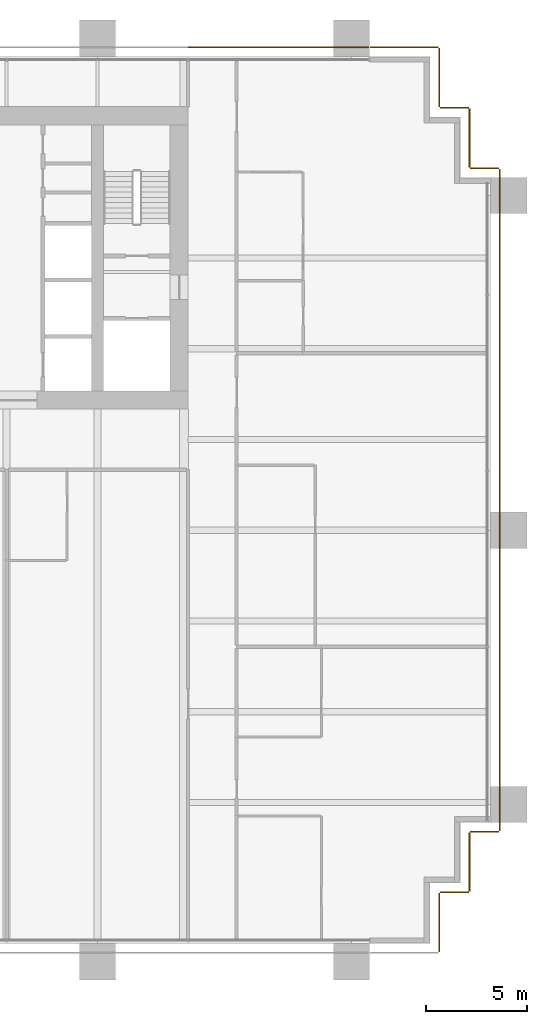
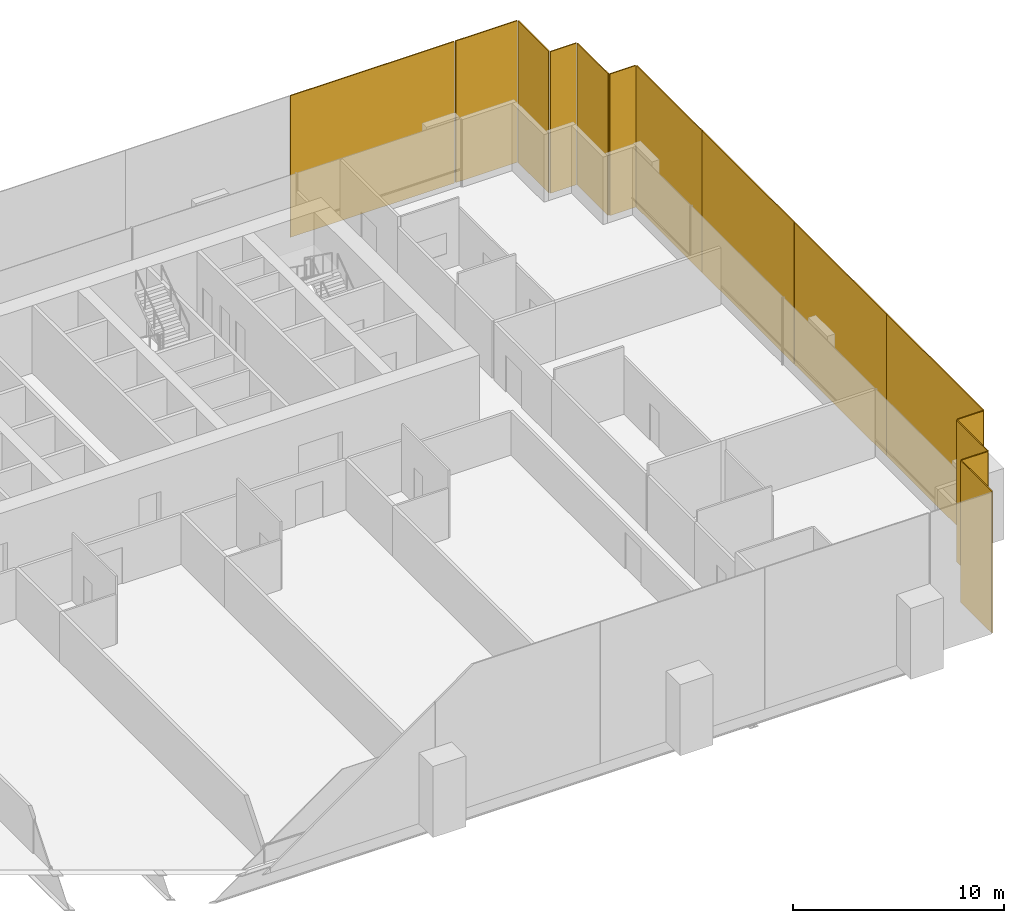
# One storey, part 18 of 18: 14 coverings.
"""IFC4 building model written with IfcOpenShell, lengths in metres."""

from ifc_helpers import new_model, si_unit, direction, frame, origin, origin_2d, place, context, subcontext, project, spatial, rectangle, extrude, material, layer, layer_set, type_object, element, save


model = new_model("IFC4")

# Units and contexts
model_context = context("Model", 3, precision=1e-05, world=origin(), true_north=direction((0.0, 1.0)))
body_context = subcontext(model_context, "Body", "Model", "MODEL_VIEW")
ifc_project = project(units=[si_unit("LENGTHUNIT", "METRE"), si_unit("AREAUNIT", "SQUARE_METRE"), si_unit("VOLUMEUNIT", "CUBIC_METRE"), si_unit("PLANEANGLEUNIT", "RADIAN"), si_unit("MASSUNIT", "GRAM", prefix="KILO")], contexts=[model_context])

# Site, building, storey
site_placement = place(None, origin())
site = spatial("IfcSite", under=ifc_project, at=site_placement, CompositionType="ELEMENT")
building_placement = place(site_placement, origin())
building = spatial("IfcBuilding", under=site, at=building_placement, Name="Rattan Terrace Tower", CompositionType="ELEMENT")
storey_placement = place(building_placement, frame((0.0, 0.0, 57.0)))
storey = spatial("IfcBuildingStorey", under=building, at=storey_placement, Name="L12", CompositionType="ELEMENT", Elevation=57.0)

# Coverings
ifc_material = material(Name="Perforated terracotta", Category="masonry")
ifc_layer = layer(ifc_material, 0.06005859375)
ifc_layer_set = layer_set([ifc_layer], Name="Facade Terracotta Screen Panel")
covering_type = type_object("IfcCoveringType", Name="Facade Terracotta Screen Panel", PredefinedType="CLADDING", material=ifc_layer_set)
covering_1_placement = place(storey_placement, frame((30.449951171875, -32.949951171875, -0.18994140625), z_axis=(0.0, 0.0, 1.0), x_axis=(0.0, 1.0, 0.0)))
element("IfcCovering", 1, at=covering_1_placement, inside=storey, type_object=covering_type, Name="OUTER SKIN panel L12-2", PredefinedType="CLADDING", context=body_context, shape_type="SweptSolid", body=[
    extrude(rectangle(XDim=2.919921875, YDim=0.06005859375, at=origin_2d()), origin(), (0.0, 0.0, 1.0), 8.179931640625),
])
covering_2_placement = place(storey_placement, frame((31.199951171875, -31.449951171875, -0.18994140625), z_axis=(0.0, 0.0, 1.0), x_axis=(1.0, 0.0, 0.0)))
element("IfcCovering", 2, at=covering_2_placement, inside=storey, type_object=covering_type, Name="OUTER SKIN panel L12-3", PredefinedType="CLADDING", context=body_context, shape_type="SweptSolid", body=[
    extrude(rectangle(XDim=1.419921875, YDim=0.06005859375, at=origin_2d()), origin(), (0.0, 0.0, 1.0), 8.179931640625),
])
covering_3_placement = place(storey_placement, frame((31.949951171875, -29.949951171875, -0.18994140625), z_axis=(0.0, 0.0, 1.0), x_axis=(0.0, 1.0, 0.0)))
element("IfcCovering", 3, at=covering_3_placement, inside=storey, type_object=covering_type, Name="OUTER SKIN panel L12-4", PredefinedType="CLADDING", context=body_context, shape_type="SweptSolid", body=[
    extrude(rectangle(XDim=2.919921875, YDim=0.06005859375, at=origin_2d()), origin(), (0.0, 0.0, 1.0), 8.179931640625),
])
covering_4_placement = place(storey_placement, frame((32.699951171875, -28.449951171875, -0.18994140625), z_axis=(0.0, 0.0, 1.0), x_axis=(1.0, 0.0, 0.0)))
element("IfcCovering", 4, at=covering_4_placement, inside=storey, type_object=covering_type, Name="OUTER SKIN panel L12-5", PredefinedType="CLADDING", context=body_context, shape_type="SweptSolid", body=[
    extrude(rectangle(XDim=1.419921875, YDim=0.06005859375, at=origin_2d()), origin(), (0.0, 0.0, 1.0), 8.179931640625),
])
covering_5_placement = place(storey_placement, frame((33.449951171875, -23.846435546875, -0.18994140625), z_axis=(0.0, 0.0, 1.0), x_axis=(0.0, 1.0, 0.0)))
element("IfcCovering", 5, at=covering_5_placement, inside=storey, type_object=covering_type, Name="OUTER SKIN panel L12-6", PredefinedType="CLADDING", context=body_context, shape_type="SweptSolid", body=[
    extrude(rectangle(XDim=9.126953125, YDim=0.06005859375, at=origin_2d()), origin(), (0.0, 0.0, 1.0), 8.179931640625),
])
for number, where, z_axis, x_axis, name in (
    (6, (33.449951171875, -14.909423828125, -0.18994140625), (0.0, 0.0, 1.0), (0.0, 1.0, 0.0), "OUTER SKIN panel L12-7"),
    (7, (33.449951171875, -6.1826171875, -0.18994140625), (0.0, 0.0, 1.0), (0.0, 1.0, 0.0), "OUTER SKIN panel L12-8"),
):
    element("IfcCovering", number, at=place(storey_placement, frame(where, z_axis=z_axis, x_axis=x_axis)), inside=storey, type_object=covering_type, Name=name, PredefinedType="CLADDING", context=body_context, shape_type="SweptSolid", body=[
        extrude(rectangle(XDim=8.70703125, YDim=0.06005859375, at=origin_2d()), origin(), (0.0, 0.0, 1.0), 8.179931640625),
    ])
covering_6_placement = place(storey_placement, frame((33.449951171875, 1.300537109375, -0.18994140625), z_axis=(0.0, 0.0, 1.0), x_axis=(0.0, 1.0, 0.0)))
element("IfcCovering", 8, at=covering_6_placement, inside=storey, type_object=covering_type, Name="OUTER SKIN panel L12-9", PredefinedType="CLADDING", context=body_context, shape_type="SweptSolid", body=[
    extrude(rectangle(XDim=6.218994140625, YDim=0.06005859375, at=origin_2d()), origin(), (0.0, 0.0, 1.0), 8.179931640625),
])
covering_7_placement = place(storey_placement, frame((32.699951171875, 4.449951171875, -0.18994140625), z_axis=(0.0, 0.0, 1.0), x_axis=(-1.0, 0.0, 0.0)))
element("IfcCovering", 9, at=covering_7_placement, inside=storey, type_object=covering_type, Name="OUTER SKIN panel L12-10", PredefinedType="CLADDING", context=body_context, shape_type="SweptSolid", body=[
    extrude(rectangle(XDim=1.419921875, YDim=0.06005859375, at=origin_2d()), origin(), (0.0, 0.0, 1.0), 8.179931640625),
])
covering_8_placement = place(storey_placement, frame((31.949951171875, 5.949951171875, -0.18994140625), z_axis=(0.0, 0.0, 1.0), x_axis=(0.0, 1.0, 0.0)))
element("IfcCovering", 10, at=covering_8_placement, inside=storey, type_object=covering_type, Name="OUTER SKIN panel L12-11", PredefinedType="CLADDING", context=body_context, shape_type="SweptSolid", body=[
    extrude(rectangle(XDim=2.919921875, YDim=0.06005859375, at=origin_2d()), origin(), (0.0, 0.0, 1.0), 8.179931640625),
])
covering_9_placement = place(storey_placement, frame((31.199951171875, 7.449951171875, -0.18994140625), z_axis=(0.0, 0.0, 1.0), x_axis=(-1.0, 0.0, 0.0)))
element("IfcCovering", 11, at=covering_9_placement, inside=storey, type_object=covering_type, Name="OUTER SKIN panel L12-12", PredefinedType="CLADDING", context=body_context, shape_type="SweptSolid", body=[
    extrude(rectangle(XDim=1.419921875, YDim=0.06005859375, at=origin_2d()), origin(), (0.0, 0.0, 1.0), 8.179931640625),
])
covering_10_placement = place(storey_placement, frame((30.449951171875, 8.949951171875, -0.18994140625), z_axis=(0.0, 0.0, 1.0), x_axis=(0.0, 1.0, 0.0)))
element("IfcCovering", 12, at=covering_10_placement, inside=storey, type_object=covering_type, Name="OUTER SKIN panel L12-13", PredefinedType="CLADDING", context=body_context, shape_type="SweptSolid", body=[
    extrude(rectangle(XDim=2.919921875, YDim=0.06005859375, at=origin_2d()), origin(), (0.0, 0.0, 1.0), 8.179931640625),
])
covering_11_placement = place(storey_placement, frame((28.72509765625, 10.449951171875, -0.18994140625), z_axis=(0.0, 0.0, 1.0), x_axis=(-1.0, 0.0, 0.0)))
element("IfcCovering", 13, at=covering_11_placement, inside=storey, type_object=covering_type, Name="OUTER SKIN panel L12-14", PredefinedType="CLADDING", context=body_context, shape_type="SweptSolid", body=[
    extrude(rectangle(XDim=3.3701171875, YDim=0.06005859375, at=origin_2d()), origin(), (0.0, 0.0, 1.0), 8.179931640625),
])
covering_12_placement = place(storey_placement, frame((22.485107421875, 10.449951171875, -0.18994140625), z_axis=(0.0, 0.0, 1.0), x_axis=(-1.0, 0.0, 0.0)))
element("IfcCovering", 14, at=covering_12_placement, inside=storey, type_object=covering_type, Name="OUTER SKIN panel L12-15", PredefinedType="CLADDING", context=body_context, shape_type="SweptSolid", body=[
    extrude(rectangle(XDim=8.949951171875, YDim=0.06005859375, at=origin_2d()), origin(), (0.0, 0.0, 1.0), 8.179931640625),
])

save(model, "model.ifc")
